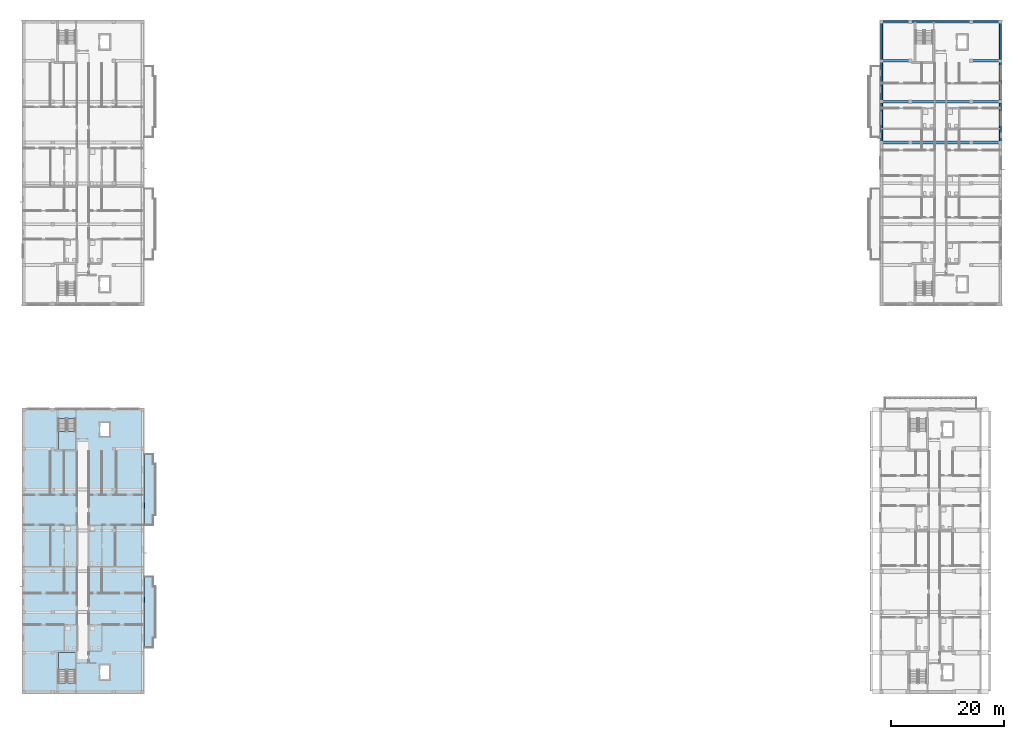
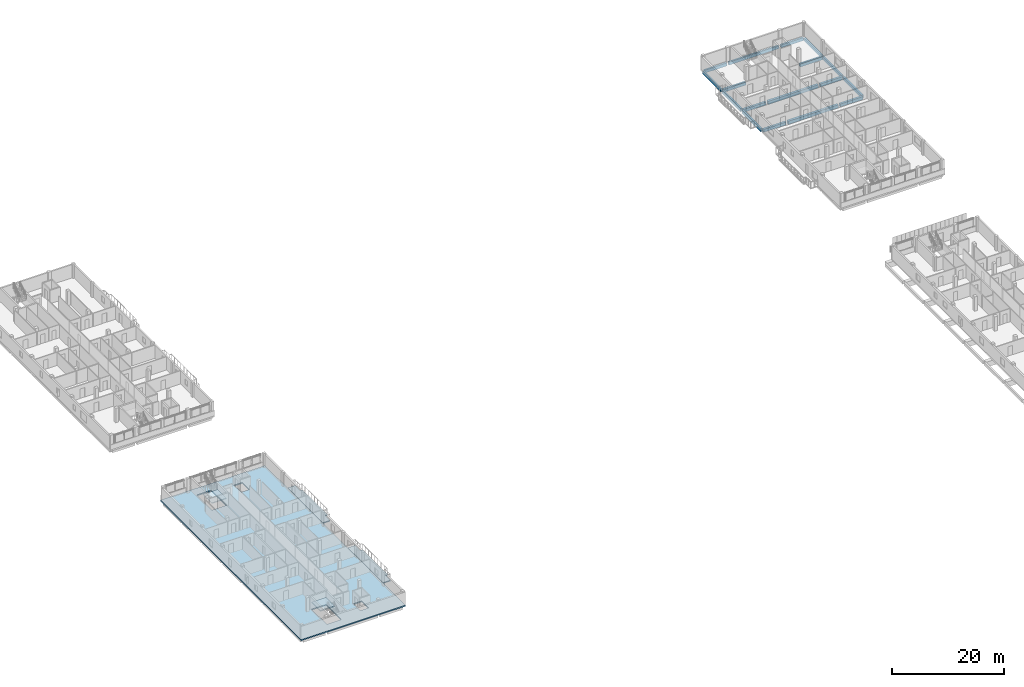
# One storey, part 9 of 41: 17 beams, 5 slabs, 2 elements without a shape of their own.
"""IFC4 building model written with IfcOpenShell, lengths in metres."""

from ifc_helpers import new_model, si_unit, derived_unit, direction, frame, origin, origin_2d, place, context, subcontext, project, spatial, polyline, rectangle, outline, extrude, material, layer, layer_set, material_profile, profile_set, type_object, element, aggregate, save


model = new_model("IFC4")

# Units and contexts
model_context = context("Model", 3, precision=1e-05, world=origin(), true_north=direction((0.0, 1.0)))
body_context = subcontext(model_context, "Body", "Model", "MODEL_VIEW")
ifc_project = project(units=[si_unit("LENGTHUNIT", "METRE"), si_unit("AREAUNIT", "SQUARE_METRE"), si_unit("VOLUMEUNIT", "CUBIC_METRE"), si_unit("PLANEANGLEUNIT", "RADIAN"), si_unit("MASSUNIT", "GRAM", prefix="KILO"), derived_unit("THERMALTRANSMITTANCEUNIT", [(si_unit("MASSUNIT", "GRAM", prefix="KILO"), 1), (si_unit("TIMEUNIT", "SECOND"), -3), (si_unit("THERMODYNAMICTEMPERATUREUNIT", "KELVIN"), -1)])], contexts=[model_context])

# Site, building, storey
site_placement = place(None, origin())
site = spatial("IfcSite", under=ifc_project, at=site_placement, CompositionType="ELEMENT")
building_placement = place(site_placement, origin())
building = spatial("IfcBuilding", under=site, at=building_placement, Name="Ochrekiln Boulevard Commons", CompositionType="ELEMENT")
storey_placement = place(building_placement, frame((0.0, 0.0, 21.52490234375)))
storey = spatial("IfcBuildingStorey", under=building, at=storey_placement, Name="L06", CompositionType="ELEMENT", Elevation=21.52490234375)

# Beams
ifc_material_1 = material(Name="Concrete C35/45", Category="concrete")
ifc_material_profile_1 = material_profile(ifc_material_1, rectangle(XDim=0.449951171875, YDim=0.64990234375, at=origin_2d()), Name="RC-BM-450x650")
ifc_profile_set_1 = profile_set([ifc_material_profile_1], Name="Concrete C35/45")
beam_type_1 = type_object("IfcBeamType", Name="BM-RC-450x650", PredefinedType="BEAM", material=ifc_profile_set_1)
for number, where, z_axis, x_axis, name in (
    (1, (151.760009765625, 97.199951171875, -0.5849609375), (1.0, 0.0, 0.0), (0.0, 1.0, 0.0), "Block B L06 Beam B-4565 X12"),
    (2, (167.610107421875, 97.199951171875, -0.5849609375), (1.0, 0.0, 0.0), (0.0, 1.0, 0.0), "Block B L06 Beam B-4565 X14"),
    (3, (151.760009765625, 104.39990234375, -0.5849609375), (1.0, 0.0, 0.0), (0.0, 1.0, 0.0), "Block B L06 Beam B-4565 X15"),
    (4, (167.610107421875, 104.39990234375, -0.5849609375), (1.0, 0.0, 0.0), (0.0, 1.0, 0.0), "Block B L06 Beam B-4565 X17"),
    (5, (151.760009765625, 111.60009765625, -0.5849609375), (1.0, 0.0, 0.0), (0.0, 1.0, 0.0), "Block B L06 Beam B-4565 X18"),
    (6, (167.610107421875, 111.60009765625, -0.5849609375), (1.0, 0.0, 0.0), (0.0, 1.0, 0.0), "Block B L06 Beam B-4565 X19"),
):
    element("IfcBeam", number, at=place(storey_placement, frame(where, z_axis=z_axis, x_axis=x_axis)), inside=storey, type_object=beam_type_1, Name=name, PredefinedType="BEAM", context=body_context, shape_type="SweptSolid", body=[
        extrude(rectangle(XDim=0.449951171875, YDim=0.64990234375, at=origin_2d()), origin(), (0.0, 0.0, 1.0), 4.6298828125),
    ])
ifc_material_2 = material(Name="Concrete C40/50", Category="concrete")
ifc_material_profile_2 = material_profile(ifc_material_2, rectangle(XDim=0.5, YDim=0.699951171875, at=origin_2d()), Name="RC-BM-500x700")
ifc_profile_set_2 = profile_set([ifc_material_profile_2], Name="Concrete C40/50")
beam_type_2 = type_object("IfcBeamType", Name="BM-RC-500x700", PredefinedType="BEAM", material=ifc_profile_set_2)
for number, where, z_axis, x_axis, name in (
    (7, (156.81005859375, 97.199951171875, -0.60986328125), (1.0, 0.0, 0.0), (0.0, 1.0, 0.0), "Block B L06 Beam B-5070 X13"),
    (8, (156.81005859375, 104.39990234375, -0.60986328125), (1.0, 0.0, 0.0), (0.0, 1.0, 0.0), "Block B L06 Beam B-5070 X16"),
):
    element("IfcBeam", number, at=place(storey_placement, frame(where, z_axis=z_axis, x_axis=x_axis)), inside=storey, type_object=beam_type_2, Name=name, PredefinedType="BEAM", context=body_context, shape_type="SweptSolid", body=[
        extrude(rectangle(XDim=0.5, YDim=0.699951171875, at=origin_2d()), origin(), (0.0, 0.0, 1.0), 10.3798828125),
    ])
ifc_material_profile_3 = material_profile(ifc_material_2, rectangle(XDim=0.35009765625, YDim=0.64990234375, at=origin_2d()), Name="RC-SPN-350x650")
ifc_profile_set_3 = profile_set([ifc_material_profile_3], Name="Concrete C40/50")
beam_type_3 = type_object("IfcBeamType", Name="SPN-RC-350x650", PredefinedType="SPANDREL", material=ifc_profile_set_3)
beam_1_placement = place(storey_placement, frame((151.760009765625, 118.449951171875, -0.5849609375), z_axis=(1.0, 0.0, 0.0), x_axis=(0.0, 1.0, 0.0)))
element("IfcBeam", 9, at=beam_1_placement, inside=storey, type_object=beam_type_3, Name="Block B L06 Beam SP-3565 X20", PredefinedType="SPANDREL", context=body_context, shape_type="SweptSolid", body=[
    extrude(rectangle(XDim=0.35009765625, YDim=0.64990234375, at=origin_2d()), origin(), (0.0, 0.0, 1.0), 4.6298828125),
])
beam_2_placement = place(storey_placement, frame((156.81005859375, 118.449951171875, -0.5849609375), z_axis=(1.0, 0.0, 0.0), x_axis=(0.0, 1.0, 0.0)))
element("IfcBeam", 10, at=beam_2_placement, inside=storey, type_object=beam_type_3, Name="Block B L06 Beam SP-3565 X21", PredefinedType="SPANDREL", context=body_context, shape_type="SweptSolid", body=[
    extrude(rectangle(XDim=0.35009765625, YDim=0.64990234375, at=origin_2d()), origin(), (0.0, 0.0, 1.0), 10.3798828125),
])
beam_3_placement = place(storey_placement, frame((167.610107421875, 118.449951171875, -0.5849609375), z_axis=(1.0, 0.0, 0.0), x_axis=(0.0, 1.0, 0.0)))
element("IfcBeam", 11, at=beam_3_placement, inside=storey, type_object=beam_type_3, Name="Block B L06 Beam SP-3565 X22", PredefinedType="SPANDREL", context=body_context, shape_type="SweptSolid", body=[
    extrude(rectangle(XDim=0.35009765625, YDim=0.64990234375, at=origin_2d()), origin(), (0.0, 0.0, 1.0), 4.6298828125),
])
beam_4_placement = place(storey_placement, frame((151.550048828125, 97.409912109375, -0.5849609375), z_axis=(0.0, 1.0, 0.0), x_axis=(-1.0, 0.0, 0.0)))
element("IfcBeam", 12, at=beam_4_placement, inside=storey, type_object=beam_type_3, Name="Block B L06 Beam SP-3565 Y27", PredefinedType="SPANDREL", context=body_context, shape_type="SweptSolid", body=[
    extrude(rectangle(XDim=0.35009765625, YDim=0.64990234375, at=origin_2d()), origin(), (0.0, 0.0, 1.0), 6.780029296875),
])
beam_5_placement = place(storey_placement, frame((151.550048828125, 104.610107421875, -0.5849609375), z_axis=(0.0, 1.0, 0.0), x_axis=(-1.0, 0.0, 0.0)))
element("IfcBeam", 13, at=beam_5_placement, inside=storey, type_object=beam_type_3, Name="Block B L06 Beam SP-3565 Y28", PredefinedType="SPANDREL", context=body_context, shape_type="SweptSolid", body=[
    extrude(rectangle(XDim=0.35009765625, YDim=0.64990234375, at=origin_2d()), origin(), (0.0, 0.0, 1.0), 6.77978515625),
])
beam_6_placement = place(storey_placement, frame((151.550048828125, 111.81005859375, -0.5849609375), z_axis=(0.0, 1.0, 0.0), x_axis=(-1.0, 0.0, 0.0)))
element("IfcBeam", 14, at=beam_6_placement, inside=storey, type_object=beam_type_3, Name="Block B L06 Beam SP-3565 Y29", PredefinedType="SPANDREL", context=body_context, shape_type="SweptSolid", body=[
    extrude(rectangle(XDim=0.35009765625, YDim=0.64990234375, at=origin_2d()), origin(), (0.0, 0.0, 1.0), 6.429931640625),
])
beam_7_placement = place(storey_placement, frame((172.449951171875, 97.409912109375, -0.5849609375), z_axis=(0.0, 1.0, 0.0), x_axis=(-1.0, 0.0, 0.0)))
element("IfcBeam", 15, at=beam_7_placement, inside=storey, type_object=beam_type_3, Name="Block B L06 Beam SP-3565 Y34", PredefinedType="SPANDREL", context=body_context, shape_type="SweptSolid", body=[
    extrude(rectangle(XDim=0.35009765625, YDim=0.64990234375, at=origin_2d()), origin(), (0.0, 0.0, 1.0), 6.780029296875),
])
beam_8_placement = place(storey_placement, frame((172.449951171875, 104.610107421875, -0.5849609375), z_axis=(0.0, 1.0, 0.0), x_axis=(-1.0, 0.0, 0.0)))
element("IfcBeam", 16, at=beam_8_placement, inside=storey, type_object=beam_type_3, Name="Block B L06 Beam SP-3565 Y35", PredefinedType="SPANDREL", context=body_context, shape_type="SweptSolid", body=[
    extrude(rectangle(XDim=0.35009765625, YDim=0.64990234375, at=origin_2d()), origin(), (0.0, 0.0, 1.0), 6.77978515625),
])
beam_9_placement = place(storey_placement, frame((172.449951171875, 111.81005859375, -0.5849609375), z_axis=(0.0, 1.0, 0.0), x_axis=(-1.0, 0.0, 0.0)))
element("IfcBeam", 17, at=beam_9_placement, inside=storey, type_object=beam_type_3, Name="Block B L06 Beam SP-3565 Y36", PredefinedType="SPANDREL", context=body_context, shape_type="SweptSolid", body=[
    extrude(rectangle(XDim=0.35009765625, YDim=0.64990234375, at=origin_2d()), origin(), (0.0, 0.0, 1.0), 6.429931640625),
])

# Slabs
ifc_layer_1 = layer(ifc_material_1, 0.219970703125)
ifc_layer_set_1 = layer_set([ifc_layer_1], Name="Concrete C35/45")
slab_type_1 = type_object("IfcSlabType", Name="SLB-BAL-220", PredefinedType="FLOOR", material=ifc_layer_set_1)
slab_1_placement = place(storey_placement, frame((0.0, 0.0, -0.219970703125)))
element("IfcSlab", 18, at=slab_1_placement, inside=storey, type_object=slab_type_1, Name="Block D L06 Planter-Box Balcony Slab 1", PredefinedType="FLOOR", context=body_context, shape_type="SweptSolid", body=[
    extrude(outline(polyline([(21.60009765625, 8.10009765625), (23.14990234375, 8.10009765625), (23.14990234375, 9.89990234375), (23.60009765625, 9.89990234375), (23.60009765625, 18.89990234375), (23.14990234375, 18.89990234375), (23.14990234375, 20.699951171875), (21.60009765625, 20.699951171875), (21.60009765625, 8.10009765625)])), origin(), (0.0, 0.0, 1.0), 0.219970703125),
])
slab_2_placement = place(storey_placement, frame((0.0, 0.0, -0.219970703125)))
element("IfcSlab", 19, at=slab_2_placement, inside=storey, type_object=slab_type_1, Name="Block D L06 Planter-Box Balcony Slab 2", PredefinedType="FLOOR", context=body_context, shape_type="SweptSolid", body=[
    extrude(outline(polyline([(21.60009765625, 29.699951171875), (23.14990234375, 29.699951171875), (23.14990234375, 31.5), (23.60009765625, 31.5), (23.60009765625, 40.5), (23.14990234375, 40.5), (23.14990234375, 42.300048828125), (21.60009765625, 42.300048828125), (21.60009765625, 29.699951171875)])), origin(), (0.0, 0.0, 1.0), 0.219970703125),
])

# Stair, slab
stair_type = type_object("IfcStairType", Name="STR-DL-315", PredefinedType="TWO_STRAIGHT_RUN_STAIR", material=ifc_material_1)
stair_1_placement = place(storey_placement, origin())
stair_1 = element("IfcStair", 20, at=stair_1_placement, inside=storey, type_object=stair_type, Name="L06 Enclosed Exit Stair ST-D1", PredefinedType="TWO_STRAIGHT_RUN_STAIR")
ifc_layer_2 = layer(ifc_material_1, 0.199951171875)
ifc_layer_set_2 = layer_set([ifc_layer_2], Name="Concrete C35/45")
slab_type_2 = type_object("IfcSlabType", Name="SLB-LND-200", PredefinedType="LANDING", material=ifc_layer_set_2)
slab_3_placement = place(storey_placement, frame((0.0, 0.0, 1.375)))
slab_3 = element("IfcSlab", 21, at=slab_3_placement, type_object=slab_type_2, Name="ST-D1 landing 1", PredefinedType="LANDING", context=body_context, shape_type="SweptSolid", body=[
    extrude(outline(polyline([(9.39990234375, 4.18994140625), (9.39990234375, 7.320068359375), (6.39990234375, 7.320068359375), (6.39990234375, 4.18994140625), (9.39990234375, 4.18994140625)])), origin(), (0.0, 0.0, 1.0), 0.2001953125),
])
aggregate(stair_1, [slab_3])

stair_2_placement = place(storey_placement, origin())
stair_2 = element("IfcStair", 22, at=stair_2_placement, inside=storey, type_object=stair_type, Name="L06 Enclosed Exit Stair ST-D2", PredefinedType="TWO_STRAIGHT_RUN_STAIR")
slab_4_placement = place(storey_placement, frame((0.0, 0.0, 1.375)))
slab_4 = element("IfcSlab", 23, at=slab_4_placement, type_object=slab_type_2, Name="ST-D2 landing 1", PredefinedType="LANDING", context=body_context, shape_type="SweptSolid", body=[
    extrude(outline(polyline([(6.39990234375, 46.2099609375), (6.39990234375, 43.080078125), (9.39990234375, 43.080078125), (9.39990234375, 46.2099609375), (6.39990234375, 46.2099609375)])), origin(), (0.0, 0.0, 1.0), 0.2001953125),
])
aggregate(stair_2, [slab_4])

# Slab
ifc_layer_3 = layer(ifc_material_1, 0.260009765625)
ifc_layer_set_3 = layer_set([ifc_layer_3], Name="Concrete C35/45")
slab_type_3 = type_object("IfcSlabType", Name="SLB-RES-260", PredefinedType="FLOOR", material=ifc_layer_set_3)
slab_5_placement = place(storey_placement, frame((0.0, 0.0, -0.260009765625)))
element("IfcSlab", 24, at=slab_5_placement, inside=storey, type_object=slab_type_3, Name="Block D L06 Reinforced Concrete Floor Slab", PredefinedType="FLOOR", context=body_context, shape_type="SweptSolid", body=[
    extrude(outline(polyline([(0.0, 0.0), (21.60009765625, 0.0), (21.60009765625, 50.39990234375), (0.0, 50.39990234375), (0.0, 0.0)]), holes=[polyline([(9.39990234375, 1.87060546875), (9.39990234375, 7.320068359375), (6.39990234375, 7.320068359375), (6.39990234375, 1.87060546875), (9.39990234375, 1.87060546875)]), polyline([(6.39990234375, 48.529541015625), (6.39990234375, 43.080078125), (9.39990234375, 43.080078125), (9.39990234375, 48.529541015625), (6.39990234375, 48.529541015625)]), polyline([(13.75, 2.550048828125), (15.449951171875, 2.550048828125), (15.449951171875, 5.050048828125), (13.75, 5.050048828125), (13.75, 2.550048828125)]), polyline([(13.75, 45.35009765625), (15.449951171875, 45.35009765625), (15.449951171875, 47.85009765625), (13.75, 47.85009765625), (13.75, 45.35009765625)])]), origin(), (0.0, 0.0, 1.0), 0.260009765625),
])

save(model, "model.ifc")
